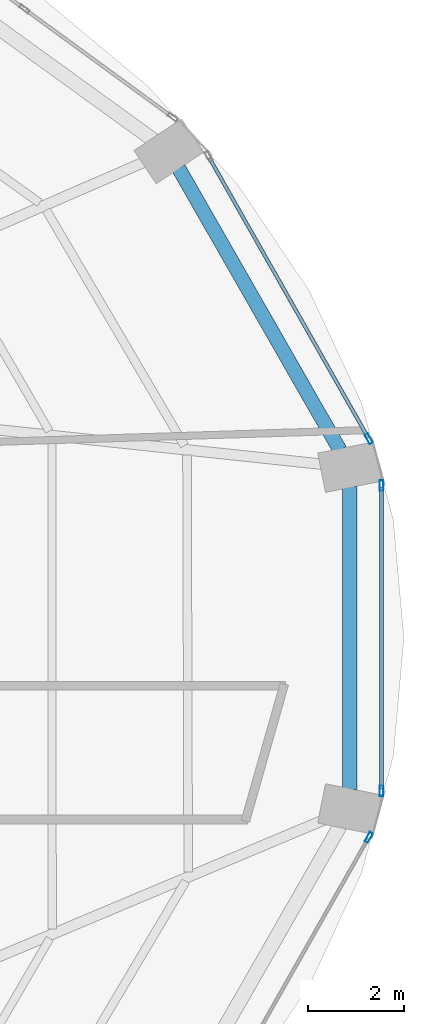
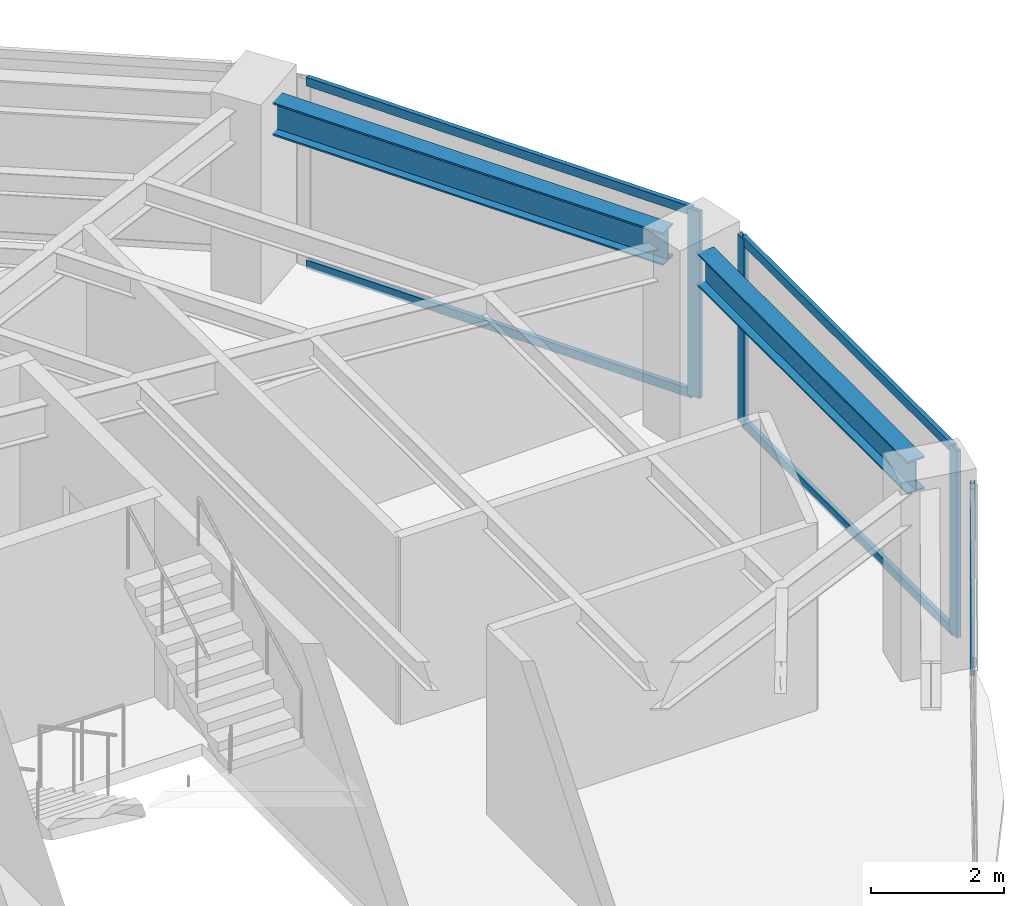
# One storey, part 13 of 23: 8 members, 2 beams, 3 elements without a shape of their own.
"""IFC4 building model written with IfcOpenShell, lengths in metres."""

from ifc_helpers import new_model, si_unit, direction, frame, origin, origin_2d, place, context, subcontext, project, spatial, hollow_rectangle, i_section, extrude, material, layer, layer_set, material_profile, profile_set, type_object, element, aggregate, save


model = new_model("IFC4")

# Units and contexts
model_context = context("Model", 3, precision=1e-05, world=origin(), true_north=direction((0.0, 1.0)))
body_context = subcontext(model_context, "Body", "Model", "MODEL_VIEW")
ifc_project = project(units=[si_unit("LENGTHUNIT", "METRE"), si_unit("AREAUNIT", "SQUARE_METRE"), si_unit("VOLUMEUNIT", "CUBIC_METRE"), si_unit("PLANEANGLEUNIT", "RADIAN"), si_unit("MASSUNIT", "GRAM", prefix="KILO")], contexts=[model_context])

# Site, building, storey
site_placement = place(None, origin())
site = spatial("IfcSite", under=ifc_project, at=site_placement, CompositionType="ELEMENT")
building_placement = place(site_placement, origin())
building = spatial("IfcBuilding", under=site, at=building_placement, Name="Lazwardi Medical Tower", CompositionType="ELEMENT")
storey_placement = place(building_placement, frame((0.0, 0.0, 125.52001953125)))
storey = spatial("IfcBuildingStorey", under=building, at=storey_placement, Name="L32", CompositionType="ELEMENT", Elevation=125.52001953125)

# Beams
ifc_material_1 = material(Name="Steel S355", Category="steel")
ifc_material_profile_1 = material_profile(ifc_material_1, i_section(OverallWidth=0.300048828125, OverallDepth=0.60009765625, WebThickness=0.015380859375, FlangeThickness=0.030029296875, at=origin_2d()), Name="HEB 600")
ifc_profile_set_1 = profile_set([ifc_material_profile_1], Name="Steel S355")
beam_type = type_object("IfcBeamType", Name="BM-RB-Z2", PredefinedType="BEAM", material=ifc_profile_set_1)
beam_1_placement = place(storey_placement, frame((60.86279296875, 27.22998046875, 3.1279296875), z_axis=(0.0, 1.0, 0.0), x_axis=(-1.0, 0.0, 0.0)))
element("IfcBeam", 1, at=beam_1_placement, inside=storey, type_object=beam_type, Name="Ring beam RB-03 B04 L32", PredefinedType="BEAM", context=body_context, shape_type="SweptSolid", body=[
    extrude(i_section(OverallWidth=0.300048828125, OverallDepth=0.60009765625, WebThickness=0.015380859375, FlangeThickness=0.030029296875, at=origin_2d()), origin(), (0.0, 0.0, 1.0), 6.33984375),
])
beam_2_placement = place(storey_placement, frame((60.6591796875, 34.335693359375, 3.1279296875), z_axis=(-0.496637551254, 0.867958030486, 0.0), x_axis=(-0.867958030486, -0.496637551254, 0.0)))
element("IfcBeam", 2, at=beam_2_placement, inside=storey, type_object=beam_type, Name="Ring beam RB-03 B05 L32", PredefinedType="BEAM", context=body_context, shape_type="SweptSolid", body=[
    extrude(i_section(OverallWidth=0.300048828125, OverallDepth=0.60009765625, WebThickness=0.015380859375, FlangeThickness=0.030029296875, at=origin_2d()), origin(), (0.0, 0.0, 1.0), 6.801025390625),
])

# Curtain wall, member
ifc_material_2 = material(Name="Anodised bronze aluminium and solar control glazing", Category="aluminium")
ifc_layer = layer(ifc_material_2, 0.195068359375)
ifc_layer_set = layer_set([ifc_layer], Name="Anodised bronze aluminium and solar control glazing")
curtain_wall_type = type_object("IfcCurtainWallType", Name="CW-SYS-03", PredefinedType="NOTDEFINED", material=ifc_layer_set)
curtain_wall_1_placement = place(storey_placement, origin())
curtain_wall_1 = element("IfcCurtainWall", 3, at=curtain_wall_1_placement, inside=storey, type_object=curtain_wall_type, Name="L32 Unitised bronze curtain wall CW-03", PredefinedType="NOTDEFINED")
ifc_material_3 = material(Name="Anodised bronze aluminium", Category="aluminium")
ifc_material_profile_2 = material_profile(ifc_material_3, hollow_rectangle(XDim=0.074951171875, YDim=0.219970703125, WallThickness=0.00390625, at=origin_2d()), Name="ALU-MULLION 220x75x4")
ifc_profile_set_2 = profile_set([ifc_material_profile_2], Name="Anodised bronze aluminium")
member_type_1 = type_object("IfcMemberType", Name="CW-MUL-01", PredefinedType="MULLION", material=ifc_profile_set_2)
member_1_placement = place(storey_placement, frame((61.2626953125, 26.22607421875, 0.0), z_axis=(0.0, 0.0, 1.0), x_axis=(-0.869687265712, 0.493603140041, 0.0)))
member_1 = element("IfcMember", 4, at=member_1_placement, type_object=member_type_1, Name="CW-03 mullion 2", PredefinedType="MULLION", context=body_context, shape_type="SweptSolid", body=[
    extrude(hollow_rectangle(XDim=0.074951171875, YDim=0.219970703125, WallThickness=0.00390625, at=origin_2d()), origin(), (0.0, 0.0, 1.0), 3.427978515625),
])
aggregate(curtain_wall_1, [member_1])

# Curtain wall, members
curtain_wall_2_placement = place(storey_placement, origin())
curtain_wall_2 = element("IfcCurtainWall", 5, at=curtain_wall_2_placement, inside=storey, type_object=curtain_wall_type, Name="L32 Unitised bronze curtain wall CW-03", PredefinedType="NOTDEFINED")
member_2_placement = place(storey_placement, frame((61.528076171875, 27.20263671875, 0.0), z_axis=(0.0, 0.0, 1.0), x_axis=(-1.0, 0.0, 0.0)))
member_2 = element("IfcMember", 6, at=member_2_placement, type_object=member_type_1, Name="CW-03 mullion 1", PredefinedType="MULLION", context=body_context, shape_type="SweptSolid", body=[
    extrude(hollow_rectangle(XDim=0.074951171875, YDim=0.219970703125, WallThickness=0.00390625, at=origin_2d()), origin(), (0.0, 0.0, 1.0), 3.427978515625),
])
member_3_placement = place(storey_placement, frame((61.528076171875, 33.597412109375, 0.0), z_axis=(0.0, 0.0, 1.0), x_axis=(-1.0, 0.0, 0.0)))
member_3 = element("IfcMember", 7, at=member_3_placement, type_object=member_type_1, Name="CW-03 mullion 2", PredefinedType="MULLION", context=body_context, shape_type="SweptSolid", body=[
    extrude(hollow_rectangle(XDim=0.074951171875, YDim=0.219970703125, WallThickness=0.00390625, at=origin_2d()), origin(), (0.0, 0.0, 1.0), 3.427978515625),
])

# Curtain wall, member
curtain_wall_3_placement = place(storey_placement, origin())
curtain_wall_3 = element("IfcCurtainWall", 8, at=curtain_wall_3_placement, inside=storey, type_object=curtain_wall_type, Name="L32 Unitised bronze curtain wall CW-03", PredefinedType="NOTDEFINED")
member_4_placement = place(storey_placement, frame((61.2626953125, 34.57373046875, 0.0), z_axis=(0.0, 0.0, 1.0), x_axis=(-0.869687265712, -0.493603140041, 0.0)))
member_4 = element("IfcMember", 9, at=member_4_placement, type_object=member_type_1, Name="CW-03 mullion 1", PredefinedType="MULLION", context=body_context, shape_type="SweptSolid", body=[
    extrude(hollow_rectangle(XDim=0.074951171875, YDim=0.219970703125, WallThickness=0.00390625, at=origin_2d()), origin(), (0.0, 0.0, 1.0), 3.427978515625),
])

# Member
ifc_material_profile_3 = material_profile(ifc_material_3, hollow_rectangle(XDim=0.074951171875, YDim=0.159912109375, WallThickness=0.00390625, at=origin_2d()), Name="ALU-TRANSOM 160x75x4")
ifc_profile_set_3 = profile_set([ifc_material_profile_3], Name="Anodised bronze aluminium")
member_type_2 = type_object("IfcMemberType", Name="CW-TRN-01", PredefinedType="USERDEFINED", material=ifc_profile_set_3)
member_5_placement = place(storey_placement, frame((61.528076171875, 27.239990234375, 0.03759765625), z_axis=(0.0, 1.0, 0.0), x_axis=(-1.0, 0.0, 0.0)))
member_5 = element("IfcMember", 10, at=member_5_placement, type_object=member_type_2, Name="CW-03 transom 1.1", ObjectType="TRANSOM", PredefinedType="USERDEFINED", context=body_context, shape_type="SweptSolid", body=[
    extrude(hollow_rectangle(XDim=0.074951171875, YDim=0.159912109375, WallThickness=0.00390625, at=origin_2d()), origin(), (0.0, 0.0, 1.0), 6.31982421875),
])

member_6_placement = place(storey_placement, frame((61.528076171875, 27.239990234375, 3.390380859375), z_axis=(0.0, 1.0, 0.0), x_axis=(-1.0, 0.0, 0.0)))
member_6 = element("IfcMember", 11, at=member_6_placement, type_object=member_type_2, Name="CW-03 transom 1.2", ObjectType="TRANSOM", PredefinedType="USERDEFINED", context=body_context, shape_type="SweptSolid", body=[
    extrude(hollow_rectangle(XDim=0.074951171875, YDim=0.159912109375, WallThickness=0.00390625, at=origin_2d()), origin(), (0.0, 0.0, 1.0), 6.31982421875),
])

aggregate(curtain_wall_2, [member_2, member_3, member_5, member_6])

member_7_placement = place(storey_placement, frame((61.244140625, 34.6064453125, 0.03759765625), z_axis=(-0.493614427365, 0.869680859337, 0.0), x_axis=(-0.869680859337, -0.493614427365, 0.0)))
member_7 = element("IfcMember", 12, at=member_7_placement, type_object=member_type_2, Name="CW-03 transom 1.1", ObjectType="TRANSOM", PredefinedType="USERDEFINED", context=body_context, shape_type="SweptSolid", body=[
    extrude(hollow_rectangle(XDim=0.074951171875, YDim=0.159912109375, WallThickness=0.00390625, at=origin_2d()), origin(), (0.0, 0.0, 1.0), 6.72314453125),
])

member_8_placement = place(storey_placement, frame((61.244140625, 34.6064453125, 3.390380859375), z_axis=(-0.493614427365, 0.869680859337, 0.0), x_axis=(-0.869680859337, -0.493614427365, 0.0)))
member_8 = element("IfcMember", 13, at=member_8_placement, type_object=member_type_2, Name="CW-03 transom 1.2", ObjectType="TRANSOM", PredefinedType="USERDEFINED", context=body_context, shape_type="SweptSolid", body=[
    extrude(hollow_rectangle(XDim=0.074951171875, YDim=0.159912109375, WallThickness=0.00390625, at=origin_2d()), origin(), (0.0, 0.0, 1.0), 6.72314453125),
])

aggregate(curtain_wall_3, [member_4, member_7, member_8])

save(model, "model.ifc")
